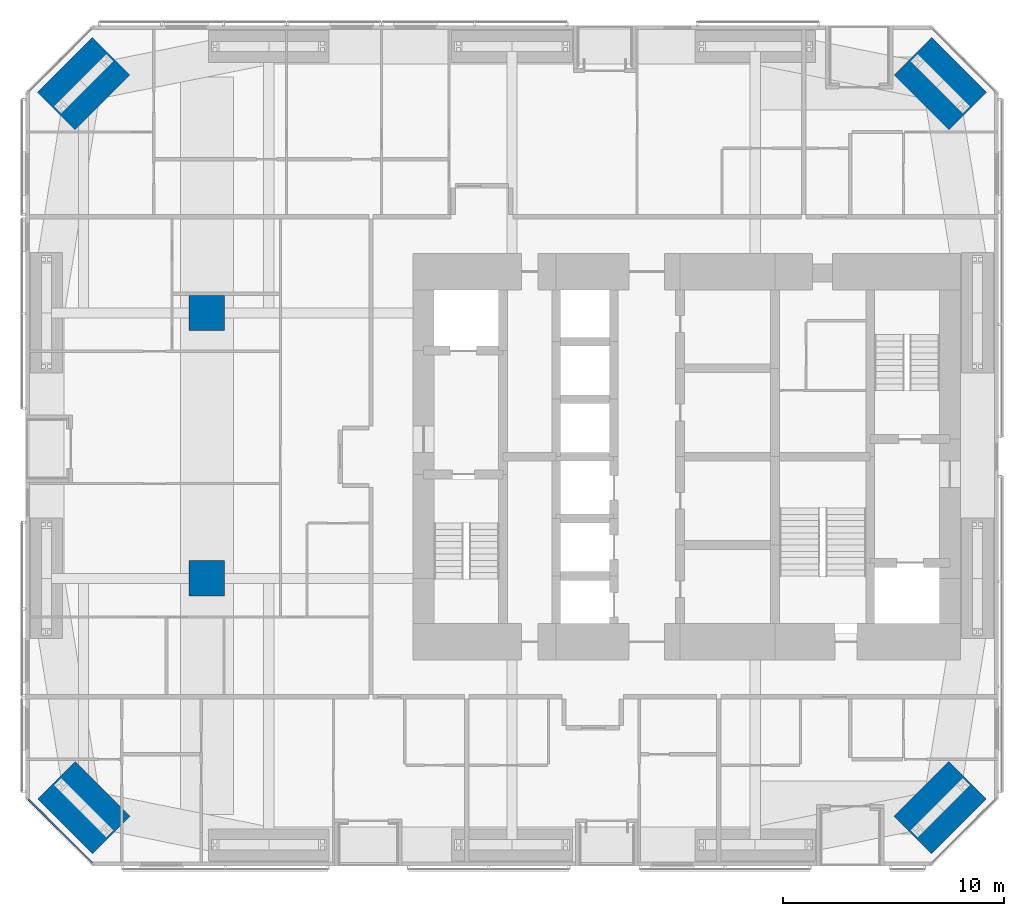
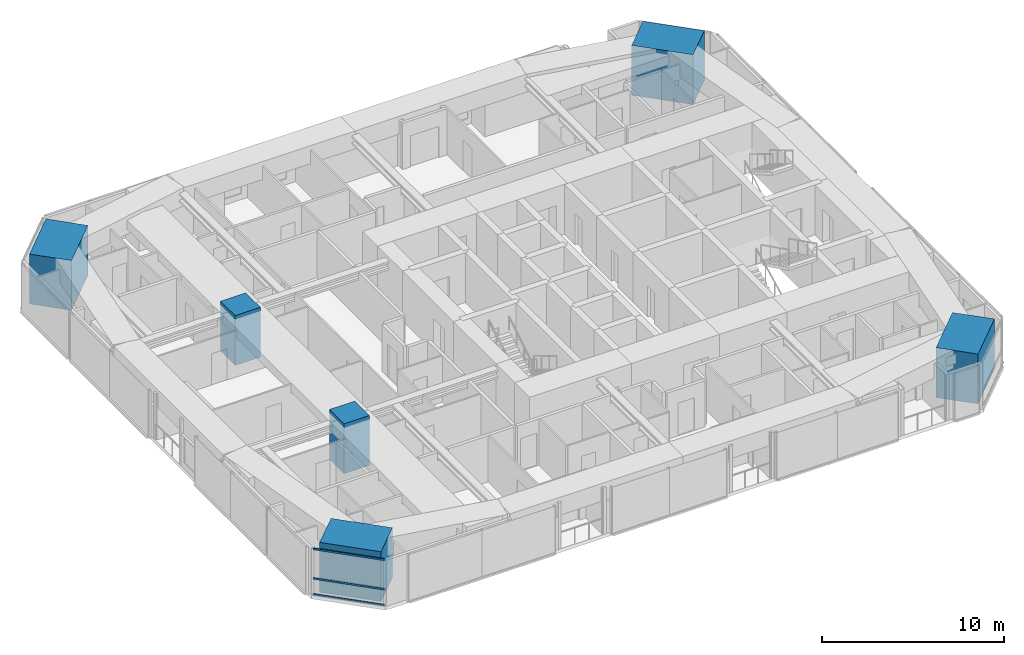
# One storey, part 1 of 23: 6 columns, 3 members, 1 element without a shape of its own.
"""IFC4 building model written with IfcOpenShell, lengths in metres."""

from ifc_helpers import new_model, si_unit, direction, frame, origin, origin_2d, place, context, subcontext, project, spatial, rectangle, extrude, material, material_profile, profile_set, type_object, element, aggregate, save


model = new_model("IFC4")

# Units and contexts
model_context = context("Model", 3, precision=1e-05, world=origin(), true_north=direction((0.0, 1.0)))
body_context = subcontext(model_context, "Body", "Model", "MODEL_VIEW")
ifc_project = project(units=[si_unit("LENGTHUNIT", "METRE"), si_unit("AREAUNIT", "SQUARE_METRE"), si_unit("VOLUMEUNIT", "CUBIC_METRE"), si_unit("PLANEANGLEUNIT", "RADIAN"), si_unit("MASSUNIT", "GRAM", prefix="KILO")], contexts=[model_context])

# Site, building, storey
site_placement = place(None, origin())
site = spatial("IfcSite", under=ifc_project, at=site_placement, CompositionType="ELEMENT")
building_placement = place(site_placement, origin())
building = spatial("IfcBuilding", under=site, at=building_placement, Name="Jalousie Tower", CompositionType="ELEMENT")
storey_placement = place(building_placement, frame((0.0, 0.0, 31.050048828125)))
storey = spatial("IfcBuildingStorey", under=building, at=storey_placement, Name="L07", CompositionType="ELEMENT", Elevation=31.050048828125)

# Columns
ifc_material_1 = material(Name="Concrete f'c 120 MPa", Category="concrete")
ifc_material_profile_1 = material_profile(ifc_material_1, rectangle(XDim=1.60009765625, YDim=1.60009765625, at=origin_2d()), Name="RC 1600x1600")
ifc_profile_set_1 = profile_set([ifc_material_profile_1], Name="Concrete f'c 120 MPa")
column_type_1 = type_object("IfcColumnType", Name="RC COLUMN 1600x1600", PredefinedType="COLUMN", material=ifc_profile_set_1)
for number, where, z_axis, x_axis, name in (
    (1, (10.199951171875, 13.0, 0.0), (0.0, 0.0, 1.0), (1.0, 0.0, 0.0), "Interior column IA1 L07"),
    (2, (10.199951171875, 25.0, 0.0), (0.0, 0.0, 1.0), (1.0, 0.0, 0.0), "Interior column IA2 L07"),
):
    element("IfcColumn", number, at=place(storey_placement, frame(where, z_axis=z_axis, x_axis=x_axis)), inside=storey, type_object=column_type_1, Name=name, PredefinedType="COLUMN", context=body_context, shape_type="SweptSolid", body=[
        extrude(rectangle(XDim=1.60009765625, YDim=1.60009765625, at=origin_2d()), origin(), (0.0, 0.0, 1.0), 3.349853515625),
    ])
ifc_material_2 = material(Name="Concrete f'c 120 MPa", Category="concrete")
ifc_material_profile_2 = material_profile(ifc_material_2, rectangle(XDim=2.39990234375, YDim=3.5, at=origin_2d()), Name="RC 2400x3500")
ifc_profile_set_2 = profile_set([ifc_material_profile_2], Name="Concrete f'c 120 MPa")
column_type_2 = type_object("IfcColumnType", Name="RC CORNER COLUMN 2400x3500", PredefinedType="COLUMN", material=ifc_profile_set_2)
for number, where, z_axis, x_axis, name in (
    (3, (4.63134765625, 2.63134765625, 0.0), (0.0, 0.0, 1.0), (0.707106781187, 0.707106781187, 0.0), "Corner column 01 L07"),
    (4, (43.36865234375, 2.63134765625, 0.0), (0.0, 0.0, 1.0), (-0.707106781187, 0.707106781187, 0.0), "Corner column 05 L07"),
    (5, (43.36865234375, 35.36865234375, 0.0), (0.0, 0.0, 1.0), (-0.707106781187, -0.707106781187, 0.0), "Corner column 08 L07"),
    (6, (4.63134765625, 35.36865234375, 0.0), (0.0, 0.0, 1.0), (0.707106781187, -0.707106781187, 0.0), "Corner column 12 L07"),
):
    element("IfcColumn", number, at=place(storey_placement, frame(where, z_axis=z_axis, x_axis=x_axis)), inside=storey, type_object=column_type_2, Name=name, PredefinedType="COLUMN", context=body_context, shape_type="SweptSolid", body=[
        extrude(rectangle(XDim=2.39990234375, YDim=3.5, at=origin_2d()), origin(), (0.0, 0.0, 1.0), 3.349853515625),
    ])

# Curtain wall, members
ifc_material_3 = material(Name="Aluminium curtain wall", Category="aluminium")
curtain_wall_type = type_object("IfcCurtainWallType", Name="CORNER WINDOW WALL", PredefinedType="USERDEFINED", material=ifc_material_3)
curtain_wall_placement = place(storey_placement, origin())
curtain_wall = element("IfcCurtainWall", 7, at=curtain_wall_placement, inside=storey, type_object=curtain_wall_type, Name="Corner Window Wall L07 8", ObjectType="CORNER WINDOW WALL", PredefinedType="USERDEFINED")
ifc_material_4 = material(Name="Aluminium transom", Category="aluminium")
ifc_material_profile_3 = material_profile(ifc_material_4, rectangle(XDim=0.06005859375, YDim=0.1201171875, at=origin_2d()), Name="TRANSOM 60x120")
ifc_profile_set_3 = profile_set([ifc_material_profile_3], Name="Aluminium transom")
member_type = type_object("IfcMemberType", Name="CORNER WINDOW WALL TRANSOM", PredefinedType="USERDEFINED", material=ifc_profile_set_3)
member_1_placement = place(storey_placement, frame((2.1298828125, 3.0087890625, 0.030029296875), z_axis=(0.707106781187, -0.707106781187, 0.0), x_axis=(0.707106781187, 0.707106781187, 0.0)))
member_1 = element("IfcMember", 8, at=member_1_placement, type_object=member_type, Name="CW-C transom 1.1", ObjectType="TRANSOM", PredefinedType="USERDEFINED", context=body_context, shape_type="SweptSolid", body=[
    extrude(rectangle(XDim=0.06005859375, YDim=0.1201171875, at=origin_2d()), origin(), (0.0, 0.0, 1.0), 4.0712890625),
])
member_2_placement = place(storey_placement, frame((2.1298828125, 3.0087890625, 1.099853515625), z_axis=(0.707106781187, -0.707106781187, 0.0), x_axis=(0.707106781187, 0.707106781187, 0.0)))
member_2 = element("IfcMember", 9, at=member_2_placement, type_object=member_type, Name="CW-C transom 1.2", ObjectType="TRANSOM", PredefinedType="USERDEFINED", context=body_context, shape_type="SweptSolid", body=[
    extrude(rectangle(XDim=0.06005859375, YDim=0.1201171875, at=origin_2d()), origin(), (0.0, 0.0, 1.0), 4.0712890625),
])
member_3_placement = place(storey_placement, frame((2.1298828125, 3.0087890625, 3.079833984375), z_axis=(0.707106781187, -0.707106781187, 0.0), x_axis=(0.707106781187, 0.707106781187, 0.0)))
member_3 = element("IfcMember", 10, at=member_3_placement, type_object=member_type, Name="CW-C transom 1.3", ObjectType="TRANSOM", PredefinedType="USERDEFINED", context=body_context, shape_type="SweptSolid", body=[
    extrude(rectangle(XDim=0.06005859375, YDim=0.1201171875, at=origin_2d()), origin(), (0.0, 0.0, 1.0), 4.0712890625),
])
aggregate(curtain_wall, [member_1, member_2, member_3])

save(model, "model.ifc")
